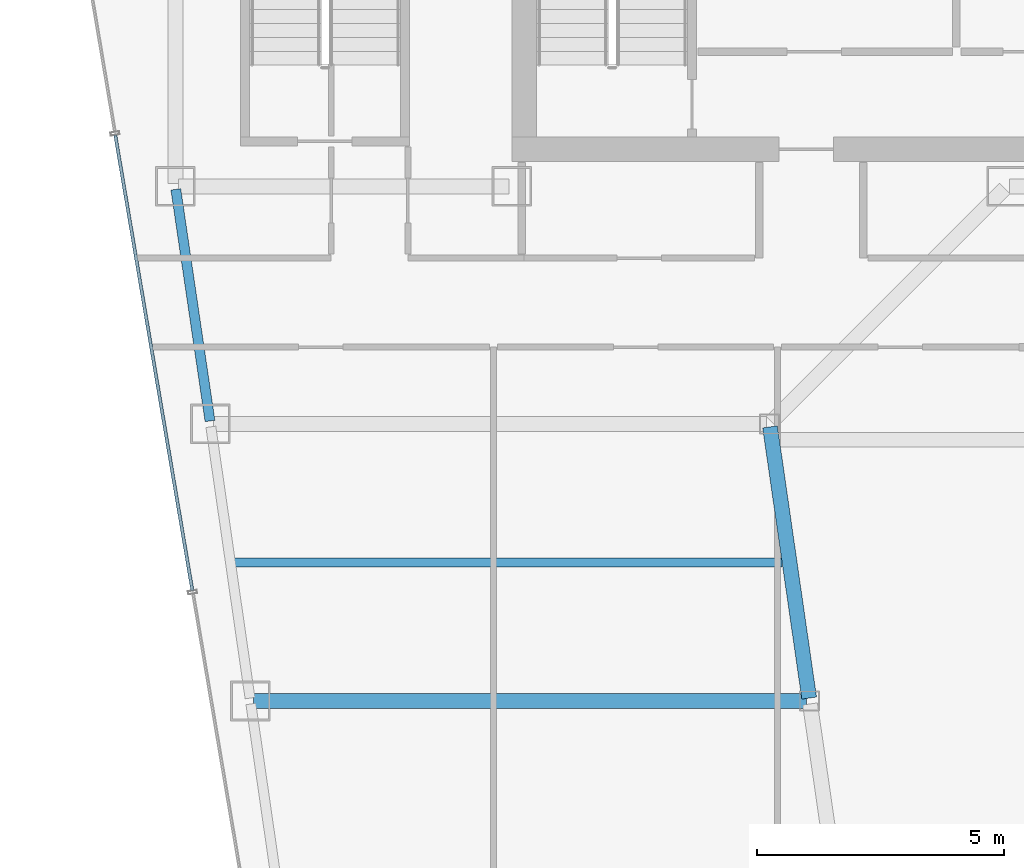
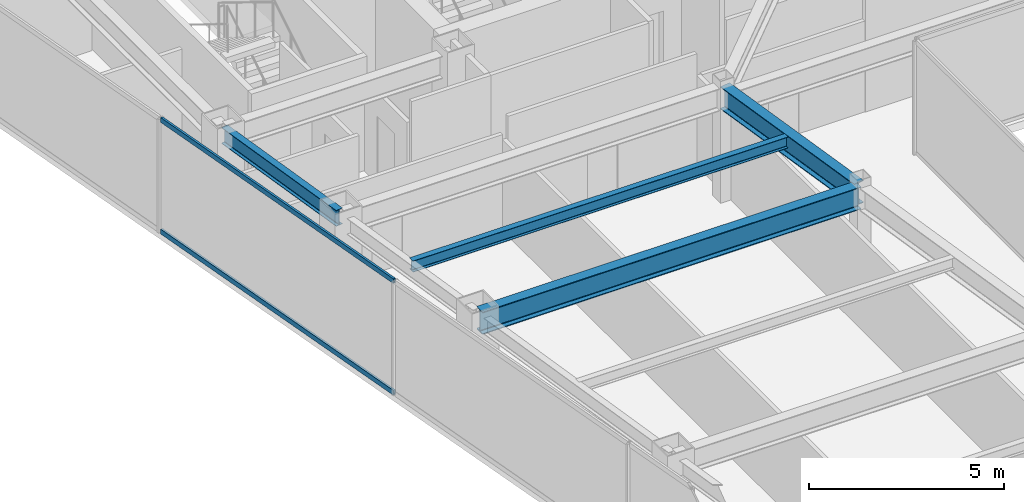
# One storey, part 10 of 36: 4 beams, 2 members, 1 element without a shape of its own.
"""IFC4 building model written with IfcOpenShell, lengths in metres."""

from ifc_helpers import new_model, si_unit, direction, frame, origin, origin_2d, place, context, subcontext, project, spatial, hollow_rectangle, i_section, extrude, material, material_profile, profile_set, type_object, element, aggregate, save


model = new_model("IFC4")

# Units and contexts
model_context = context("Model", 3, precision=1e-05, world=origin(), true_north=direction((0.0, 1.0)))
body_context = subcontext(model_context, "Body", "Model", "MODEL_VIEW")
ifc_project = project(units=[si_unit("LENGTHUNIT", "METRE"), si_unit("AREAUNIT", "SQUARE_METRE"), si_unit("VOLUMEUNIT", "CUBIC_METRE"), si_unit("PLANEANGLEUNIT", "RADIAN"), si_unit("MASSUNIT", "GRAM", prefix="KILO")], contexts=[model_context])

# Site, building, storey
site_placement = place(None, origin())
site = spatial("IfcSite", under=ifc_project, at=site_placement, CompositionType="ELEMENT")
building_placement = place(site_placement, origin())
building = spatial("IfcBuilding", under=site, at=building_placement, Name="Saevonmaru Cultural Tower", CompositionType="ELEMENT")
storey_placement = place(building_placement, frame((0.0, 0.0, 186.60009765625)))
storey = spatial("IfcBuildingStorey", under=building, at=storey_placement, Name="L42", CompositionType="ELEMENT", Elevation=186.60009765625)

# Beams
ifc_material_1 = material(Name="Steel SM355", Category="steel")
ifc_material_profile_1 = material_profile(ifc_material_1, i_section(OverallWidth=0.300048828125, OverallDepth=0.699951171875, WebThickness=0.012939453125, FlangeThickness=0.02392578125, FilletRadius=0.02587890625, at=origin_2d()), Name="H-700x300x13x24")
ifc_profile_set_1 = profile_set([ifc_material_profile_1], Name="Steel SM355")
beam_type_1 = type_object("IfcBeamType", Name="BM-G-H700", PredefinedType="BEAM", material=ifc_profile_set_1)
beam_1_placement = place(storey_placement, frame((19.6083984375, 32.059326171875, 3.199951171875), z_axis=(-0.142964121327, 0.989727871697, 0.0), x_axis=(-0.989727871697, -0.142964121327, 0.0)))
element("IfcBeam", 1, at=beam_1_placement, inside=storey, type_object=beam_type_1, Name="L42 West Atrium Girder 3", PredefinedType="BEAM", context=body_context, shape_type="SweptSolid", body=[
    extrude(i_section(OverallWidth=0.300048828125, OverallDepth=0.699951171875, WebThickness=0.012939453125, FlangeThickness=0.02392578125, FilletRadius=0.02587890625, at=origin_2d()), origin(), (0.0, 0.0, 1.0), 5.5380859375),
])
beam_2_placement = place(storey_placement, frame((8.376953125, 32.0, 3.199951171875), z_axis=(1.0, 0.0, 0.0), x_axis=(0.0, 1.0, 0.0)))
element("IfcBeam", 2, at=beam_2_placement, inside=storey, type_object=beam_type_1, Name="L42 West Wing Transverse Girder 3", PredefinedType="BEAM", context=body_context, shape_type="SweptSolid", body=[
    extrude(i_section(OverallWidth=0.300048828125, OverallDepth=0.699951171875, WebThickness=0.012939453125, FlangeThickness=0.02392578125, FilletRadius=0.02587890625, at=origin_2d()), origin(), (0.0, 0.0, 1.0), 11.179931640625),
])
ifc_material_profile_2 = material_profile(ifc_material_1, i_section(OverallWidth=0.175048828125, OverallDepth=0.35009765625, WebThickness=0.007080078125, FlangeThickness=0.010986328125, FilletRadius=0.012939453125, at=origin_2d()), Name="H-350x175x7x11")
ifc_profile_set_2 = profile_set([ifc_material_profile_2], Name="Steel SM355")
beam_type_2 = type_object("IfcBeamType", Name="BM-J-H350", PredefinedType="JOIST", material=ifc_profile_set_2)
beam_3_placement = place(storey_placement, frame((7.972412109375, 34.800048828125, 3.375), z_axis=(1.0, 0.0, 0.0), x_axis=(0.0, 1.0, 0.0)))
element("IfcBeam", 3, at=beam_3_placement, inside=storey, type_object=beam_type_2, Name="L42 West Wing Floor Joist 3", PredefinedType="JOIST", context=body_context, shape_type="SweptSolid", body=[
    extrude(i_section(OverallWidth=0.175048828125, OverallDepth=0.35009765625, WebThickness=0.007080078125, FlangeThickness=0.010986328125, FilletRadius=0.012939453125, at=origin_2d()), origin(), (0.0, 0.0, 1.0), 11.08203125),
])
ifc_material_profile_3 = material_profile(ifc_material_1, i_section(OverallWidth=0.199951171875, OverallDepth=0.5, WebThickness=0.010009765625, FlangeThickness=0.01611328125, FilletRadius=0.02001953125, at=origin_2d()), Name="H-500x200x10x16")
ifc_profile_set_3 = profile_set([ifc_material_profile_3], Name="Steel SM355")
beam_type_3 = type_object("IfcBeamType", Name="BM-SP-H500", PredefinedType="SPANDREL", material=ifc_profile_set_3)
beam_4_placement = place(storey_placement, frame((7.499267578125, 37.659423828125, 3.2998046875), z_axis=(-0.145912860028, 0.989297446312, 0.0), x_axis=(-0.989297446312, -0.145912860028, 0.0)))
element("IfcBeam", 4, at=beam_4_placement, inside=storey, type_object=beam_type_3, Name="L42 West Splayed Spandrel 4", PredefinedType="SPANDREL", context=body_context, shape_type="SweptSolid", body=[
    extrude(i_section(OverallWidth=0.199951171875, OverallDepth=0.5, WebThickness=0.010009765625, FlangeThickness=0.01611328125, FilletRadius=0.02001953125, at=origin_2d()), origin(), (0.0, 0.0, 1.0), 4.731689453125),
])

# Curtain wall, members
ifc_material_2 = material(Name="Satin Bronze Anodised Aluminium", Category="aluminium")
curtain_wall_type = type_object("IfcCurtainWallType", Name="CW-TYP-B", PredefinedType="NOTDEFINED", material=ifc_material_2)
curtain_wall_placement = place(storey_placement, origin())
curtain_wall = element("IfcCurtainWall", 5, at=curtain_wall_placement, inside=storey, type_object=curtain_wall_type, Name="L42 Unitised Curtain Wall E12", PredefinedType="NOTDEFINED")
ifc_material_profile_4 = material_profile(ifc_material_2, hollow_rectangle(XDim=0.06494140625, YDim=0.14990234375, WallThickness=0.00390625, at=origin_2d()), Name="ALU-TRAN-150x65x4")
ifc_profile_set_4 = profile_set([ifc_material_profile_4], Name="Satin Bronze Anodised Aluminium")
member_type = type_object("IfcMemberType", Name="TR-CW-150x65", PredefinedType="USERDEFINED", material=ifc_profile_set_4)
member_1_placement = place(storey_placement, frame((5.5849609375, 43.4384765625, 0.032470703125), z_axis=(0.166916960754, -0.985970957084, 0.0), x_axis=(0.985970957084, 0.166916960754, 0.0)))
member_1 = element("IfcMember", 6, at=member_1_placement, type_object=member_type, Name="CW-TW-L42-E12 transom 2.1", ObjectType="TRANSOM", PredefinedType="USERDEFINED", context=body_context, shape_type="SweptSolid", body=[
    extrude(hollow_rectangle(XDim=0.06494140625, YDim=0.14990234375, WallThickness=0.00390625, at=origin_2d()), origin(), (0.0, 0.0, 1.0), 9.337646484375),
])
member_2_placement = place(storey_placement, frame((5.5849609375, 43.4384765625, 3.517333984375), z_axis=(0.166916960754, -0.985970957084, 0.0), x_axis=(0.985970957084, 0.166916960754, 0.0)))
member_2 = element("IfcMember", 7, at=member_2_placement, type_object=member_type, Name="CW-TW-L42-E12 transom 2.2", ObjectType="TRANSOM", PredefinedType="USERDEFINED", context=body_context, shape_type="SweptSolid", body=[
    extrude(hollow_rectangle(XDim=0.06494140625, YDim=0.14990234375, WallThickness=0.00390625, at=origin_2d()), origin(), (0.0, 0.0, 1.0), 9.337646484375),
])
aggregate(curtain_wall, [member_1, member_2])

save(model, "model.ifc")
